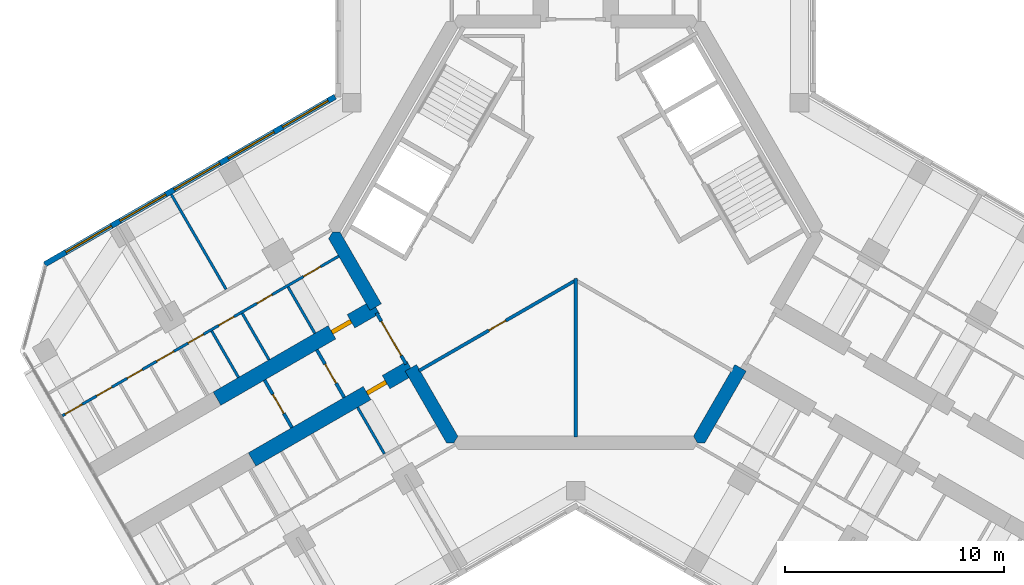
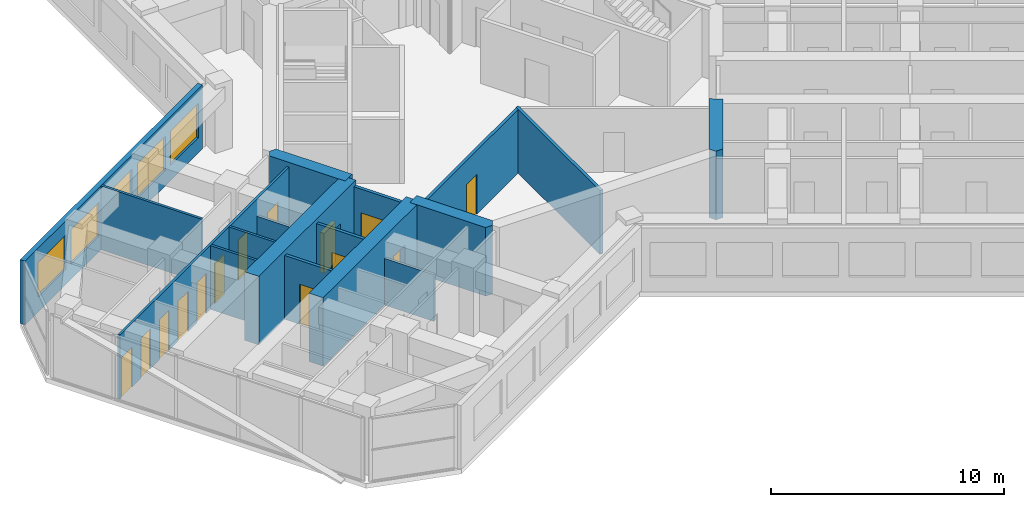
# One storey, part 9 of 16: 17 walls, 14 doors, 5 windows, 19 openings.
"""IFC4 building model written with IfcOpenShell, lengths in metres."""

from ifc_helpers import new_model, si_unit, direction, frame, frame_2d, origin, place, context, subcontext, project, spatial, polyline, rectangle, outline, extrude, material, layer, layer_set, type_object, element, fill, save


model = new_model("IFC4")

# Units and contexts
model_context = context("Model", 3, precision=1e-05, world=origin(), true_north=direction((0.0, 1.0)))
body_context = subcontext(model_context, "Body", "Model", "MODEL_VIEW")
ifc_project = project(units=[si_unit("LENGTHUNIT", "METRE"), si_unit("AREAUNIT", "SQUARE_METRE"), si_unit("VOLUMEUNIT", "CUBIC_METRE"), si_unit("PLANEANGLEUNIT", "RADIAN"), si_unit("MASSUNIT", "GRAM", prefix="KILO")], contexts=[model_context])

# Site, building, storey
site_placement = place(None, origin())
site = spatial("IfcSite", under=ifc_project, at=site_placement, CompositionType="ELEMENT")
building_placement = place(site_placement, origin())
building = spatial("IfcBuilding", under=site, at=building_placement, Name="Kosmar Iwan School Tower", CompositionType="ELEMENT")
storey_placement = place(building_placement, frame((0.0, 0.0, 242.39990234375)))
storey = spatial("IfcBuildingStorey", under=building, at=storey_placement, Name="L61", CompositionType="ELEMENT", Elevation=242.39990234375)

# Wall
ifc_material_1 = material(Name="Gypsum board on steel studs, fire-rated", Category="steel")
ifc_layer_1 = layer(ifc_material_1, 0.14990234375)
ifc_layer_set_1 = layer_set([ifc_layer_1], Name="Core room partition 150")
wall_type_1 = type_object("IfcWallType", Name="Core room partition 150", PredefinedType="PARTITIONING", material=ifc_layer_set_1)
wall_1_placement = place(storey_placement, frame((0.0, -9.344970703125, 0.0), z_axis=(0.0, 0.0, 1.0), x_axis=(0.0, 1.0, 0.0)))
element("IfcWall", 1, at=wall_1_placement, inside=storey, type_object=wall_type_1, Name="Core room partition L61-CW5", PredefinedType="PARTITIONING", context=body_context, shape_type="SweptSolid", body=[
    extrude(rectangle(XDim=7.22607421875, YDim=0.14990234375, at=frame_2d((3.613037109375, 0.0))), origin(), (0.0, 0.0, 1.0), 3.35009765625),
])

# Wall, opening, door
wall_2_placement = place(storey_placement, frame((-7.14306640625, -6.31787109375, 0.0), z_axis=(0.0, 0.0, 1.0), x_axis=(0.866034159509, 0.499984834333, 0.0)))
wall_2 = element("IfcWall", 2, at=wall_2_placement, inside=storey, type_object=wall_type_1, Name="Core room partition L61-CW7", PredefinedType="PARTITIONING", context=body_context, shape_type="SweptSolid", body=[
    extrude(rectangle(XDim=8.322998046875, YDim=0.14990234375, at=frame_2d((4.16162109375, 0.0))), origin(), (0.0, 0.0, 1.0), 3.35009765625),
])
opening_1_placement = place(wall_2_placement, frame((3.677001953125, 0.0, 0.0)))
opening_1 = element("IfcOpeningElement", 3, at=opening_1_placement, cuts=wall_2, Name="Opening D14", PredefinedType="OPENING", context=body_context, shape_type="SweptSolid", body=[
    extrude(rectangle(XDim=0.89990234375, YDim=2.10009765625, at=frame_2d((0.449951171875, 1.050048828125))), frame((0.0, 0.0869140625, 0.0), z_axis=(0.0, -1.0, 0.0), x_axis=(1.0, 0.0, 0.0)), (0.0, 0.0, 1.0), 0.173828125),
])
ifc_material_2 = material(Name="Timber fire door in steel frame", Category="steel")
door_type_1 = type_object("IfcDoorType", Name="Core room door 900x2100", OperationType="SINGLE_SWING_LEFT", PredefinedType="DOOR", material=ifc_material_2)
door_1_placement = place(opening_1_placement, origin())
door_1 = element("IfcDoor", 4, at=door_1_placement, inside=storey, type_object=door_type_1, Name="Residents' laundry room door L61 4", OperationType="SINGLE_SWING_LEFT", OverallHeight=2.10009765625, OverallWidth=0.89990234375, PredefinedType="DOOR", context=body_context, shape_type="SweptSolid", body=[
    extrude(rectangle(XDim=0.89990234375, YDim=2.10009765625, at=frame_2d((0.449951171875, 1.050048828125))), frame((0.0, 0.02490234375, 0.0), z_axis=(0.0, -1.0, 0.0), x_axis=(1.0, 0.0, 0.0)), (0.0, 0.0, 1.0), 0.050048828125),
])
fill(opening_1, door_1)

# Walls
ifc_material_3 = material(Name="Concrete C50/60", Category="concrete")
ifc_layer_2 = layer(ifc_material_3, 0.60009765625)
ifc_layer_set_2 = layer_set([ifc_layer_2], Name="Core wall 600")
wall_type_2 = type_object("IfcWallType", Name="Core wall 600", PredefinedType="SHEAR", material=ifc_layer_set_2)
wall_3_placement = place(storey_placement, origin())
element("IfcWall", 5, at=wall_3_placement, inside=storey, type_object=wall_type_2, Name="Core wall F210a", PredefinedType="SHEAR", context=body_context, shape_type="SweptSolid", body=[
    extrude(outline(polyline([(-9.37353515625, -3.564453125), (-8.85400390625, -3.264404296875), (-10.73876953125, 0.0), (-11.085205078125, 0.0), (-11.25830078125, -0.300048828125), (-9.37353515625, -3.564453125)])), origin(), (0.0, 0.0, 1.0), 3.60009765625),
])
wall_4_placement = place(storey_placement, origin())
element("IfcWall", 6, at=wall_4_placement, inside=storey, type_object=wall_type_2, Name="Core wall F210b", PredefinedType="SHEAR", context=body_context, shape_type="SweptSolid", body=[
    extrude(outline(polyline([(-5.888916015625, -9.60009765625), (-5.54248046875, -9.60009765625), (-5.369384765625, -9.300048828125), (-7.254150390625, -6.03564453125), (-7.773681640625, -6.335693359375), (-5.888916015625, -9.60009765625)])), origin(), (0.0, 0.0, 1.0), 3.60009765625),
])
wall_5_placement = place(storey_placement, origin())
element("IfcWall", 7, at=wall_5_placement, inside=storey, type_object=wall_type_2, Name="Core wall F330a", PredefinedType="SHEAR", context=body_context, shape_type="SweptSolid", body=[
    extrude(outline(polyline([(5.54248046875, -9.60009765625), (5.888916015625, -9.60009765625), (7.773681640625, -6.335693359375), (7.254150390625, -6.03564453125), (5.369384765625, -9.300048828125), (5.54248046875, -9.60009765625)])), origin(), (0.0, 0.0, 1.0), 3.60009765625),
])

# Wall, opening, door
ifc_material_4 = material(Name="Concrete C50/60", Category="concrete")
ifc_layer_3 = layer(ifc_material_4, 0.699951171875)
ifc_layer_set_3 = layer_set([ifc_layer_3], Name="Corridor buttress wall 700")
wall_type_3 = type_object("IfcWallType", Name="Corridor buttress wall 700", PredefinedType="SHEAR", material=ifc_layer_set_3)
wall_6_placement = place(storey_placement, frame((-7.513916015625, -6.185546875, 0.0), z_axis=(0.0, 0.0, 1.0), x_axis=(-0.866019549707, -0.500010139422, 0.0)))
wall_6 = element("IfcWall", 8, at=wall_6_placement, inside=storey, type_object=wall_type_3, Name="Corridor wall BL", PredefinedType="SHEAR", context=body_context, shape_type="SweptSolid", body=[
    extrude(rectangle(XDim=8.349853515625, YDim=0.699951171875, at=frame_2d((4.1748046875, 0.0))), origin(), (0.0, 0.0, 1.0), 3.60009765625),
])
opening_2_placement = place(wall_6_placement, frame((1.300048828125, 0.0, 0.0)))
opening_2 = element("IfcOpeningElement", 9, at=opening_2_placement, cuts=wall_6, Name="Opening D1", PredefinedType="OPENING", context=body_context, shape_type="SweptSolid", body=[
    extrude(rectangle(XDim=1.0, YDim=2.10009765625, at=frame_2d((0.5, 1.050048828125))), frame((0.0, 0.362060546875, 0.0), z_axis=(0.0, -1.0, 0.0), x_axis=(1.0, 0.0, 0.0)), (0.0, 0.0, 1.0), 0.723876953125),
])
ifc_material_5 = material(Name="Timber fire door in steel frame", Category="steel")
door_type_2 = type_object("IfcDoorType", Name="Flat entrance door 1000x2100", OperationType="SINGLE_SWING_LEFT", PredefinedType="DOOR", material=ifc_material_5)
door_2_placement = place(opening_2_placement, origin())
door_2 = element("IfcDoor", 10, at=door_2_placement, inside=storey, type_object=door_type_2, Name="Flat L61-BL1 entrance door", OperationType="SINGLE_SWING_RIGHT", OverallHeight=2.10009765625, OverallWidth=1.0, PredefinedType="DOOR", context=body_context, shape_type="SweptSolid", body=[
    extrude(rectangle(XDim=1.0, YDim=2.10009765625, at=frame_2d((0.5, 1.050048828125))), frame((0.0, 0.10009765625, 0.0), z_axis=(0.0, -1.0, 0.0), x_axis=(1.0, 0.0, 0.0)), (0.0, 0.0, 1.0), 0.199951171875),
])
fill(opening_2, door_2)

wall_7_placement = place(storey_placement, frame((-9.11376953125, -3.414306640625, 0.0), z_axis=(0.0, 0.0, 1.0), x_axis=(-0.866026859388, -0.499997478812, 0.0)))
wall_7 = element("IfcWall", 11, at=wall_7_placement, inside=storey, type_object=wall_type_3, Name="Corridor wall BR", PredefinedType="SHEAR", context=body_context, shape_type="SweptSolid", body=[
    extrude(rectangle(XDim=8.35009765625, YDim=0.699951171875, at=frame_2d((4.175048828125, 0.0))), origin(), (0.0, 0.0, 1.0), 3.60009765625),
])
opening_3_placement = place(wall_7_placement, frame((1.300048828125, 0.0, 0.0)))
opening_3 = element("IfcOpeningElement", 12, at=opening_3_placement, cuts=wall_7, Name="Opening D1", PredefinedType="OPENING", context=body_context, shape_type="SweptSolid", body=[
    extrude(rectangle(XDim=1.0, YDim=2.10009765625, at=frame_2d((0.5, 1.050048828125))), frame((0.0, 0.362060546875, 0.0), z_axis=(0.0, -1.0, 0.0), x_axis=(1.0, 0.0, 0.0)), (0.0, 0.0, 1.0), 0.723876953125),
])
door_3_placement = place(opening_3_placement, origin())
door_3 = element("IfcDoor", 13, at=door_3_placement, inside=storey, type_object=door_type_2, Name="Flat L61-BR1 entrance door", OperationType="SINGLE_SWING_RIGHT", OverallHeight=2.10009765625, OverallWidth=1.0, PredefinedType="DOOR", context=body_context, shape_type="SweptSolid", body=[
    extrude(rectangle(XDim=1.0, YDim=2.10009765625, at=frame_2d((0.5, 1.050048828125))), frame((0.0, 0.10009765625, 0.0), z_axis=(0.0, -1.0, 0.0), x_axis=(1.0, 0.0, 0.0)), (0.0, 0.0, 1.0), 0.199951171875),
])
fill(opening_3, door_3)

ifc_material_6 = material(Name="Gypsum board on steel studs, fire-rated", Category="steel")
ifc_layer_4 = layer(ifc_material_6, 0.14990234375)
ifc_layer_set_4 = layer_set([ifc_layer_4], Name="Corridor end wall 150")
wall_type_4 = type_object("IfcWallType", Name="Corridor end wall 150", PredefinedType="PARTITIONING", material=ifc_layer_set_4)
wall_8_placement = place(storey_placement, frame((-14.17822265625, -6.742431640625, 0.0), z_axis=(0.0, 0.0, 1.0), x_axis=(0.500004234368, -0.866022959057, 0.0)))
wall_8 = element("IfcWall", 14, at=wall_8_placement, inside=storey, type_object=wall_type_4, Name="Partition L61-B-CE", PredefinedType="PARTITIONING", context=body_context, shape_type="SweptSolid", body=[
    extrude(rectangle(XDim=2.5, YDim=0.14990234375, at=frame_2d((1.25, 0.0))), origin(), (0.0, 0.0, 1.0), 3.35009765625),
])
opening_4_placement = place(wall_8_placement, frame((0.75, 0.0, 0.0)))
opening_4 = element("IfcOpeningElement", 15, at=opening_4_placement, cuts=wall_8, Name="Opening D13", PredefinedType="OPENING", context=body_context, shape_type="SweptSolid", body=[
    extrude(rectangle(XDim=1.0, YDim=2.10009765625, at=frame_2d((0.5, 1.050048828125))), frame((0.0, 0.0869140625, 0.0), z_axis=(0.0, -1.0, 0.0), x_axis=(1.0, 0.0, 0.0)), (0.0, 0.0, 1.0), 0.173828125),
])
ifc_material_7 = material(Name="Timber fire door with vision panel", Category="wood")
door_type_3 = type_object("IfcDoorType", Name="Corridor end door 1000x2100", OperationType="SINGLE_SWING_LEFT", PredefinedType="DOOR", material=ifc_material_7)
door_4_placement = place(opening_4_placement, origin())
door_4 = element("IfcDoor", 16, at=door_4_placement, inside=storey, type_object=door_type_3, Name="Hobby workshop door L61-B", OperationType="SINGLE_SWING_RIGHT", OverallHeight=2.10009765625, OverallWidth=1.0, PredefinedType="DOOR", context=body_context, shape_type="SweptSolid", body=[
    extrude(rectangle(XDim=1.0, YDim=2.10009765625, at=frame_2d((0.5, 1.050048828125))), frame((0.0, 0.02490234375, 0.0), z_axis=(0.0, -1.0, 0.0), x_axis=(1.0, 0.0, 0.0)), (0.0, 0.0, 1.0), 0.050048828125),
])
fill(opening_4, door_4)

wall_9_placement = place(storey_placement, frame((-11.796630859375, -5.367431640625, 0.0), z_axis=(0.0, 0.0, 1.0), x_axis=(0.500004234368, -0.866022959057, 0.0)))
wall_9 = element("IfcWall", 17, at=wall_9_placement, inside=storey, type_object=wall_type_4, Name="Partition L61-B-HW", PredefinedType="PARTITIONING", context=body_context, shape_type="SweptSolid", body=[
    extrude(rectangle(XDim=2.5, YDim=0.14990234375, at=frame_2d((1.25, 0.0))), origin(), (0.0, 0.0, 1.0), 3.35009765625),
])
opening_5_placement = place(wall_9_placement, frame((0.75, 0.0, 0.0)))
opening_5 = element("IfcOpeningElement", 18, at=opening_5_placement, cuts=wall_9, Name="Opening D13", PredefinedType="OPENING", context=body_context, shape_type="SweptSolid", body=[
    extrude(rectangle(XDim=1.0, YDim=2.10009765625, at=frame_2d((0.5, 1.050048828125))), frame((0.0, 0.0869140625, 0.0), z_axis=(0.0, -1.0, 0.0), x_axis=(1.0, 0.0, 0.0)), (0.0, 0.0, 1.0), 0.173828125),
])
door_5_placement = place(opening_5_placement, origin())
door_5 = element("IfcDoor", 19, at=door_5_placement, inside=storey, type_object=door_type_3, Name="Entrance door L61-B", OperationType="SINGLE_SWING_LEFT", OverallHeight=2.10009765625, OverallWidth=1.0, PredefinedType="DOOR", context=body_context, shape_type="SweptSolid", body=[
    extrude(rectangle(XDim=1.0, YDim=2.10009765625, at=frame_2d((0.5, 1.050048828125))), frame((0.0, 0.02490234375, 0.0), z_axis=(0.0, -1.0, 0.0), x_axis=(1.0, 0.0, 0.0)), (0.0, 0.0, 1.0), 0.050048828125),
])
fill(opening_5, door_5)

ifc_material_8 = material(Name="Steel framed glazed screen", Category="steel")
ifc_layer_5 = layer(ifc_material_8, 0.14990234375)
ifc_layer_set_5 = layer_set([ifc_layer_5], Name="Corridor screen wall 150")
wall_type_5 = type_object("IfcWallType", Name="Corridor screen wall 150", PredefinedType="PARTITIONING", material=ifc_layer_set_5)
wall_10_placement = place(storey_placement, frame((-9.075439453125, -3.680908203125, 0.0), z_axis=(0.0, 0.0, 1.0), x_axis=(0.500048589285, -0.86599734893, 0.0)))
wall_10 = element("IfcWall", 20, at=wall_10_placement, inside=storey, type_object=wall_type_5, Name="Corridor screen B L61", PredefinedType="PARTITIONING", context=body_context, shape_type="SweptSolid", body=[
    extrude(rectangle(XDim=2.699951171875, YDim=0.14990234375, at=frame_2d((1.35009765625, 0.0))), origin(), (0.0, 0.0, 1.0), 3.35009765625),
])
opening_6_placement = place(wall_10_placement, frame((0.449951171875, 0.0, 0.0)))
opening_6 = element("IfcOpeningElement", 21, at=opening_6_placement, cuts=wall_10, Name="Opening D9", PredefinedType="OPENING", context=body_context, shape_type="SweptSolid", body=[
    extrude(rectangle(XDim=1.800048828125, YDim=2.10009765625, at=frame_2d((0.89990234375, 1.050048828125))), frame((0.0, 0.0869140625, 0.0), z_axis=(0.0, -1.0, 0.0), x_axis=(1.0, 0.0, 0.0)), (0.0, 0.0, 1.0), 0.173828125),
])
ifc_material_9 = material(Name="Steel framed glazed smoke door", Category="steel")
door_type_4 = type_object("IfcDoorType", Name="Corridor smoke door pair 1800x2100", OperationType="DOUBLE_DOOR_DOUBLE_SWING", PredefinedType="DOOR", material=ifc_material_9)
door_6_placement = place(opening_6_placement, origin())
door_6 = element("IfcDoor", 22, at=door_6_placement, inside=storey, type_object=door_type_4, Name="Corridor doors B L61", OperationType="DOUBLE_DOOR_DOUBLE_SWING", OverallHeight=2.10009765625, OverallWidth=1.800048828125, PredefinedType="DOOR", context=body_context, shape_type="SweptSolid", body=[
    extrude(rectangle(XDim=1.800048828125, YDim=2.10009765625, at=frame_2d((0.89990234375, 1.050048828125))), frame((0.0, 0.02490234375, 0.0), z_axis=(0.0, -1.0, 0.0), x_axis=(1.0, 0.0, 0.0)), (0.0, 0.0, 1.0), 0.050048828125),
])
fill(opening_6, door_6)

# Wall
ifc_material_10 = material(Name="Gypsum board on steel studs", Category="steel")
ifc_layer_6 = layer(ifc_material_10, 0.1201171875)
ifc_layer_set_6 = layer_set([ifc_layer_6], Name="Dwelling partition 120")
wall_type_6 = type_object("IfcWallType", Name="Dwelling partition 120", PredefinedType="PARTITIONING", material=ifc_layer_set_6)
wall_11_placement = place(storey_placement, frame((-9.93701171875, -7.98876953125, 0.0), z_axis=(0.0, 0.0, 1.0), x_axis=(0.500077547548, -0.865980627057, 0.0)))
element("IfcWall", 23, at=wall_11_placement, inside=storey, type_object=wall_type_6, Name="Partition L61-BL1-Y1", PredefinedType="PARTITIONING", context=body_context, shape_type="SweptSolid", body=[
    extrude(rectangle(XDim=2.43994140625, YDim=0.1201171875, at=frame_2d((1.219970703125, 0.0))), origin(), (0.0, 0.0, 1.0), 2.4501953125),
])

# Wall, openings, doors
wall_12_placement = place(storey_placement, frame((-10.798583984375, -1.09619140625, 0.0), z_axis=(0.0, 0.0, 1.0), x_axis=(-0.866028217562, -0.499995126363, 0.0)))
wall_12 = element("IfcWall", 24, at=wall_12_placement, inside=storey, type_object=wall_type_6, Name="Partition L61-BR1-W1", PredefinedType="PARTITIONING", context=body_context, shape_type="SweptSolid", body=[
    extrude(rectangle(XDim=14.545166015625, YDim=0.1201171875, at=frame_2d((7.2724609375, 0.0))), origin(), (0.0, 0.0, 1.0), 3.35009765625),
])
opening_7_placement = place(wall_12_placement, frame((0.949951171875, 0.0, 0.0)))
opening_7 = element("IfcOpeningElement", 25, at=opening_7_placement, cuts=wall_12, Name="Opening D2", PredefinedType="OPENING", context=body_context, shape_type="SweptSolid", body=[
    extrude(rectangle(XDim=0.89990234375, YDim=2.10009765625, at=frame_2d((0.449951171875, 1.050048828125))), frame((0.0, 0.072021484375, 0.0), z_axis=(0.0, -1.0, 0.0), x_axis=(1.0, 0.0, 0.0)), (0.0, 0.0, 1.0), 0.14404296875),
])
opening_8_placement = place(wall_12_placement, frame((3.505126953125, 0.0, 0.0)))
opening_8 = element("IfcOpeningElement", 26, at=opening_8_placement, cuts=wall_12, Name="Opening D3", PredefinedType="OPENING", context=body_context, shape_type="SweptSolid", body=[
    extrude(rectangle(XDim=0.800048828125, YDim=2.10009765625, at=frame_2d((0.39990234375, 1.050048828125))), frame((0.0, 0.072021484375, 0.0), z_axis=(0.0, -1.0, 0.0), x_axis=(1.0, 0.0, 0.0)), (0.0, 0.0, 1.0), 0.14404296875),
])
opening_9_placement = place(wall_12_placement, frame((5.513427734375, 0.0, 0.0)))
opening_9 = element("IfcOpeningElement", 27, at=opening_9_placement, cuts=wall_12, Name="Opening D3", PredefinedType="OPENING", context=body_context, shape_type="SweptSolid", body=[
    extrude(rectangle(XDim=0.800048828125, YDim=2.10009765625, at=frame_2d((0.39990234375, 1.050048828125))), frame((0.0, 0.072021484375, 0.0), z_axis=(0.0, -1.0, 0.0), x_axis=(1.0, 0.0, 0.0)), (0.0, 0.0, 1.0), 0.14404296875),
])
opening_10_placement = place(wall_12_placement, frame((7.1201171875, 0.0, 0.0)))
opening_10 = element("IfcOpeningElement", 28, at=opening_10_placement, cuts=wall_12, Name="Opening D3", PredefinedType="OPENING", context=body_context, shape_type="SweptSolid", body=[
    extrude(rectangle(XDim=0.800048828125, YDim=2.10009765625, at=frame_2d((0.39990234375, 1.050048828125))), frame((0.0, 0.072021484375, 0.0), z_axis=(0.0, -1.0, 0.0), x_axis=(1.0, 0.0, 0.0)), (0.0, 0.0, 1.0), 0.14404296875),
])
opening_11_placement = place(wall_12_placement, frame((8.6767578125, 0.0, 0.0)))
opening_11 = element("IfcOpeningElement", 29, at=opening_11_placement, cuts=wall_12, Name="Opening D2", PredefinedType="OPENING", context=body_context, shape_type="SweptSolid", body=[
    extrude(rectangle(XDim=0.89990234375, YDim=2.10009765625, at=frame_2d((0.449951171875, 1.050048828125))), frame((0.0, 0.072021484375, 0.0), z_axis=(0.0, -1.0, 0.0), x_axis=(1.0, 0.0, 0.0)), (0.0, 0.0, 1.0), 0.14404296875),
])
opening_12_placement = place(wall_12_placement, frame((10.333251953125, 0.0, 0.0)))
opening_12 = element("IfcOpeningElement", 30, at=opening_12_placement, cuts=wall_12, Name="Opening D3", PredefinedType="OPENING", context=body_context, shape_type="SweptSolid", body=[
    extrude(rectangle(XDim=0.800048828125, YDim=2.10009765625, at=frame_2d((0.39990234375, 1.050048828125))), frame((0.0, 0.072021484375, 0.0), z_axis=(0.0, -1.0, 0.0), x_axis=(1.0, 0.0, 0.0)), (0.0, 0.0, 1.0), 0.14404296875),
])
opening_13_placement = place(wall_12_placement, frame((11.93994140625, 0.0, 0.0)))
opening_13 = element("IfcOpeningElement", 31, at=opening_13_placement, cuts=wall_12, Name="Opening D3", PredefinedType="OPENING", context=body_context, shape_type="SweptSolid", body=[
    extrude(rectangle(XDim=0.800048828125, YDim=2.10009765625, at=frame_2d((0.39990234375, 1.050048828125))), frame((0.0, 0.072021484375, 0.0), z_axis=(0.0, -1.0, 0.0), x_axis=(1.0, 0.0, 0.0)), (0.0, 0.0, 1.0), 0.14404296875),
])
opening_14_placement = place(wall_12_placement, frame((13.49658203125, 0.0, 0.0)))
opening_14 = element("IfcOpeningElement", 32, at=opening_14_placement, cuts=wall_12, Name="Opening D2", PredefinedType="OPENING", context=body_context, shape_type="SweptSolid", body=[
    extrude(rectangle(XDim=0.89990234375, YDim=2.10009765625, at=frame_2d((0.449951171875, 1.050048828125))), frame((0.0, 0.072021484375, 0.0), z_axis=(0.0, -1.0, 0.0), x_axis=(1.0, 0.0, 0.0)), (0.0, 0.0, 1.0), 0.14404296875),
])
ifc_material_11 = material(Name="Timber door in timber frame", Category="wood")
door_type_5 = type_object("IfcDoorType", Name="Internal door 900x2100", OperationType="SINGLE_SWING_LEFT", PredefinedType="DOOR", material=ifc_material_11)
door_7_placement = place(opening_7_placement, origin())
door_7 = element("IfcDoor", 33, at=door_7_placement, inside=storey, type_object=door_type_5, Name="Entrance hall door L61-BR1-S1", OperationType="SINGLE_SWING_LEFT", OverallHeight=2.10009765625, OverallWidth=0.89990234375, PredefinedType="DOOR", context=body_context, shape_type="SweptSolid", body=[
    extrude(rectangle(XDim=0.89990234375, YDim=2.10009765625, at=frame_2d((0.449951171875, 1.050048828125))), frame((0.0, 0.02490234375, 0.0), z_axis=(0.0, -1.0, 0.0), x_axis=(1.0, 0.0, 0.0)), (0.0, 0.0, 1.0), 0.050048828125),
])
fill(opening_7, door_7)
door_8_placement = place(opening_11_placement, origin())
door_8 = element("IfcDoor", 34, at=door_8_placement, inside=storey, type_object=door_type_5, Name="Pantry door L61-BR1-S5", OperationType="SINGLE_SWING_LEFT", OverallHeight=2.10009765625, OverallWidth=0.89990234375, PredefinedType="DOOR", context=body_context, shape_type="SweptSolid", body=[
    extrude(rectangle(XDim=0.89990234375, YDim=2.10009765625, at=frame_2d((0.449951171875, 1.050048828125))), frame((0.0, 0.02490234375, 0.0), z_axis=(0.0, -1.0, 0.0), x_axis=(1.0, 0.0, 0.0)), (0.0, 0.0, 1.0), 0.050048828125),
])
fill(opening_11, door_8)
door_9_placement = place(opening_14_placement, origin())
door_9 = element("IfcDoor", 35, at=door_9_placement, inside=storey, type_object=door_type_5, Name="Utility room door L61-BR1-S8", OperationType="SINGLE_SWING_RIGHT", OverallHeight=2.10009765625, OverallWidth=0.89990234375, PredefinedType="DOOR", context=body_context, shape_type="SweptSolid", body=[
    extrude(rectangle(XDim=0.89990234375, YDim=2.10009765625, at=frame_2d((0.449951171875, 1.050048828125))), frame((0.0, 0.02490234375, 0.0), z_axis=(0.0, -1.0, 0.0), x_axis=(1.0, 0.0, 0.0)), (0.0, 0.0, 1.0), 0.050048828125),
])
fill(opening_14, door_9)
ifc_material_12 = material(Name="Timber door in timber frame", Category="wood")
door_type_6 = type_object("IfcDoorType", Name="Sanitary room door 800x2100", OperationType="SINGLE_SWING_LEFT", PredefinedType="DOOR", material=ifc_material_12)
door_10_placement = place(opening_8_placement, origin())
door_10 = element("IfcDoor", 36, at=door_10_placement, inside=storey, type_object=door_type_6, Name="Bathroom door L61-BR1-S2", OperationType="SINGLE_SWING_RIGHT", OverallHeight=2.10009765625, OverallWidth=0.800048828125, PredefinedType="DOOR", context=body_context, shape_type="SweptSolid", body=[
    extrude(rectangle(XDim=0.800048828125, YDim=2.10009765625, at=frame_2d((0.39990234375, 1.050048828125))), frame((0.0, 0.02490234375, 0.0), z_axis=(0.0, -1.0, 0.0), x_axis=(1.0, 0.0, 0.0)), (0.0, 0.0, 1.0), 0.050048828125),
])
fill(opening_8, door_10)
door_11_placement = place(opening_9_placement, origin())
door_11 = element("IfcDoor", 37, at=door_11_placement, inside=storey, type_object=door_type_6, Name="Grandparents' shower room door L61-BR1-S3", OperationType="SINGLE_SWING_LEFT", OverallHeight=2.10009765625, OverallWidth=0.800048828125, PredefinedType="DOOR", context=body_context, shape_type="SweptSolid", body=[
    extrude(rectangle(XDim=0.800048828125, YDim=2.10009765625, at=frame_2d((0.39990234375, 1.050048828125))), frame((0.0, 0.02490234375, 0.0), z_axis=(0.0, -1.0, 0.0), x_axis=(1.0, 0.0, 0.0)), (0.0, 0.0, 1.0), 0.050048828125),
])
fill(opening_9, door_11)
door_12_placement = place(opening_10_placement, origin())
door_12 = element("IfcDoor", 38, at=door_12_placement, inside=storey, type_object=door_type_6, Name="Shower room door L61-BR1-S4", OperationType="SINGLE_SWING_RIGHT", OverallHeight=2.10009765625, OverallWidth=0.800048828125, PredefinedType="DOOR", context=body_context, shape_type="SweptSolid", body=[
    extrude(rectangle(XDim=0.800048828125, YDim=2.10009765625, at=frame_2d((0.39990234375, 1.050048828125))), frame((0.0, 0.02490234375, 0.0), z_axis=(0.0, -1.0, 0.0), x_axis=(1.0, 0.0, 0.0)), (0.0, 0.0, 1.0), 0.050048828125),
])
fill(opening_10, door_12)
door_13_placement = place(opening_12_placement, origin())
door_13 = element("IfcDoor", 39, at=door_13_placement, inside=storey, type_object=door_type_6, Name="WC door L61-BR1-S6", OperationType="SINGLE_SWING_RIGHT", OverallHeight=2.10009765625, OverallWidth=0.800048828125, PredefinedType="DOOR", context=body_context, shape_type="SweptSolid", body=[
    extrude(rectangle(XDim=0.800048828125, YDim=2.10009765625, at=frame_2d((0.39990234375, 1.050048828125))), frame((0.0, 0.02490234375, 0.0), z_axis=(0.0, -1.0, 0.0), x_axis=(1.0, 0.0, 0.0)), (0.0, 0.0, 1.0), 0.050048828125),
])
fill(opening_12, door_13)
door_14_placement = place(opening_13_placement, origin())
door_14 = element("IfcDoor", 40, at=door_14_placement, inside=storey, type_object=door_type_6, Name="Store door L61-BR1-S7", OperationType="SINGLE_SWING_LEFT", OverallHeight=2.10009765625, OverallWidth=0.800048828125, PredefinedType="DOOR", context=body_context, shape_type="SweptSolid", body=[
    extrude(rectangle(XDim=0.800048828125, YDim=2.10009765625, at=frame_2d((0.39990234375, 1.050048828125))), frame((0.0, 0.02490234375, 0.0), z_axis=(0.0, -1.0, 0.0), x_axis=(1.0, 0.0, 0.0)), (0.0, 0.0, 1.0), 0.050048828125),
])
fill(opening_13, door_14)

# Walls
wall_13_placement = place(storey_placement, frame((-15.931884765625, -2.60498046875, 0.0), z_axis=(0.0, 0.0, 1.0), x_axis=(-0.500011847778, 0.866018563358, 0.0)))
element("IfcWall", 41, at=wall_13_placement, inside=storey, type_object=wall_type_6, Name="Partition L61-BR1-X1", PredefinedType="PARTITIONING", context=body_context, shape_type="SweptSolid", body=[
    extrude(rectangle(XDim=4.990234375, YDim=0.1201171875, at=frame_2d((2.4951171875, 0.0))), origin(), (0.0, 0.0, 1.0), 3.35009765625),
])
wall_14_placement = place(storey_placement, frame((-11.886962890625, -4.611328125, 0.0), z_axis=(0.0, 0.0, 1.0), x_axis=(-0.499959183527, 0.866048967903, 0.0)))
element("IfcWall", 42, at=wall_14_placement, inside=storey, type_object=wall_type_6, Name="Partition L61-BR1-Y1", PredefinedType="PARTITIONING", context=body_context, shape_type="SweptSolid", body=[
    extrude(rectangle(XDim=2.440185546875, YDim=0.1201171875, at=frame_2d((1.22021484375, 0.0))), origin(), (0.0, 0.0, 1.0), 2.4501953125),
])
for number, where, z_axis, x_axis, name in (
    (43, (-13.97412109375, -5.816162109375, 0.0), (0.0, 0.0, 1.0), (-0.500002508028, 0.866023955769, 0.0), "Partition L61-BR1-Y2"),
    (44, (-15.365478515625, -6.61962890625, 0.0), (0.0, 0.0, 1.0), (-0.500002508028, 0.866023955769, 0.0), "Partition L61-BR1-Y3"),
):
    element("IfcWall", number, at=place(storey_placement, frame(where, z_axis=z_axis, x_axis=x_axis)), inside=storey, type_object=wall_type_6, Name=name, PredefinedType="PARTITIONING", context=body_context, shape_type="SweptSolid", body=[
        extrude(rectangle(XDim=2.43994140625, YDim=0.1201171875, at=frame_2d((1.219970703125, 0.0))), origin(), (0.0, 0.0, 1.0), 3.35009765625),
    ])

# Wall, openings, windows
ifc_material_13 = material(Name="Black aluminium rainscreen on insulated framing", Category="aluminium")
ifc_layer_7 = layer(ifc_material_13, 0.25)
ifc_layer_set_7 = layer_set([ifc_layer_7], Name="External wall rainscreen 250")
wall_type_7 = type_object("IfcWallType", Name="External wall rainscreen 250", PredefinedType="SOLIDWALL", material=ifc_layer_set_7)
wall_15_placement = place(storey_placement, frame((-10.962890625, 6.170166015625, 0.0), z_axis=(0.0, 0.0, 1.0), x_axis=(-0.866025637253, -0.499999595621, 0.0)))
wall_15 = element("IfcWall", 45, at=wall_15_placement, inside=storey, type_object=wall_type_7, Name="External wall BR L61", PredefinedType="SOLIDWALL", context=body_context, shape_type="SweptSolid", body=[
    extrude(rectangle(XDim=15.2763671875, YDim=0.25, at=frame_2d((7.63818359375, 0.0))), origin(), (0.0, 0.0, 1.0), 3.35009765625),
])
opening_15_placement = place(wall_15_placement, frame((0.365966796875, 0.0, 0.800048828125)))
opening_15 = element("IfcOpeningElement", 46, at=opening_15_placement, cuts=wall_15, Name="Opening W5", PredefinedType="OPENING", context=body_context, shape_type="SweptSolid", body=[
    extrude(rectangle(XDim=2.39990234375, YDim=1.800048828125, at=frame_2d((1.199951171875, 0.89990234375))), frame((0.0, 0.136962890625, 0.0), z_axis=(0.0, -1.0, 0.0), x_axis=(1.0, 0.0, 0.0)), (0.0, 0.0, 1.0), 0.27392578125),
])
opening_16_placement = place(wall_15_placement, frame((3.216064453125, 0.0, 0.800048828125)))
opening_16 = element("IfcOpeningElement", 47, at=opening_16_placement, cuts=wall_15, Name="Opening W5", PredefinedType="OPENING", context=body_context, shape_type="SweptSolid", body=[
    extrude(rectangle(XDim=2.39990234375, YDim=1.800048828125, at=frame_2d((1.199951171875, 0.89990234375))), frame((0.0, 0.136962890625, 0.0), z_axis=(0.0, -1.0, 0.0), x_axis=(1.0, 0.0, 0.0)), (0.0, 0.0, 1.0), 0.27392578125),
])
opening_17_placement = place(wall_15_placement, frame((6.06591796875, 0.0, 0.800048828125)))
opening_17 = element("IfcOpeningElement", 48, at=opening_17_placement, cuts=wall_15, Name="Opening W5", PredefinedType="OPENING", context=body_context, shape_type="SweptSolid", body=[
    extrude(rectangle(XDim=2.39990234375, YDim=1.800048828125, at=frame_2d((1.199951171875, 0.89990234375))), frame((0.0, 0.136962890625, 0.0), z_axis=(0.0, -1.0, 0.0), x_axis=(1.0, 0.0, 0.0)), (0.0, 0.0, 1.0), 0.27392578125),
])
opening_18_placement = place(wall_15_placement, frame((8.916015625, 0.0, 0.800048828125)))
opening_18 = element("IfcOpeningElement", 49, at=opening_18_placement, cuts=wall_15, Name="Opening W5", PredefinedType="OPENING", context=body_context, shape_type="SweptSolid", body=[
    extrude(rectangle(XDim=2.39990234375, YDim=1.800048828125, at=frame_2d((1.199951171875, 0.89990234375))), frame((0.0, 0.136962890625, 0.0), z_axis=(0.0, -1.0, 0.0), x_axis=(1.0, 0.0, 0.0)), (0.0, 0.0, 1.0), 0.27392578125),
])
opening_19_placement = place(wall_15_placement, frame((11.76611328125, 0.0, 0.800048828125)))
opening_19 = element("IfcOpeningElement", 50, at=opening_19_placement, cuts=wall_15, Name="Opening W5", PredefinedType="OPENING", context=body_context, shape_type="SweptSolid", body=[
    extrude(rectangle(XDim=2.39990234375, YDim=1.800048828125, at=frame_2d((1.199951171875, 0.89990234375))), frame((0.0, 0.136962890625, 0.0), z_axis=(0.0, -1.0, 0.0), x_axis=(1.0, 0.0, 0.0)), (0.0, 0.0, 1.0), 0.27392578125),
])
ifc_material_14 = material(Name="Black aluminium frame with dark triple glazing", Category="aluminium")
window_type = type_object("IfcWindowType", Name="Window 2400x1800", PartitioningType="SINGLE_PANEL", PredefinedType="WINDOW", material=ifc_material_14)
window_1_placement = place(opening_15_placement, origin())
window_1 = element("IfcWindow", 51, at=window_1_placement, inside=storey, type_object=window_type, Name="Window BR L61 -1", OverallHeight=1.800048828125, OverallWidth=2.39990234375, PartitioningType="SINGLE_PANEL", PredefinedType="WINDOW", context=body_context, shape_type="SweptSolid", body=[
    extrude(rectangle(XDim=2.39990234375, YDim=1.800048828125, at=frame_2d((1.199951171875, 0.89990234375))), frame((0.0, 0.030029296875, 0.0), z_axis=(0.0, -1.0, 0.0), x_axis=(1.0, 0.0, 0.0)), (0.0, 0.0, 1.0), 0.06005859375),
])
fill(opening_15, window_1)
window_2_placement = place(opening_16_placement, origin())
window_2 = element("IfcWindow", 52, at=window_2_placement, inside=storey, type_object=window_type, Name="Window BR L61 0", OverallHeight=1.800048828125, OverallWidth=2.39990234375, PartitioningType="SINGLE_PANEL", PredefinedType="WINDOW", context=body_context, shape_type="SweptSolid", body=[
    extrude(rectangle(XDim=2.39990234375, YDim=1.800048828125, at=frame_2d((1.199951171875, 0.89990234375))), frame((0.0, 0.030029296875, 0.0), z_axis=(0.0, -1.0, 0.0), x_axis=(1.0, 0.0, 0.0)), (0.0, 0.0, 1.0), 0.06005859375),
])
fill(opening_16, window_2)
window_3_placement = place(opening_17_placement, origin())
window_3 = element("IfcWindow", 53, at=window_3_placement, inside=storey, type_object=window_type, Name="Window BR L61 1", OverallHeight=1.800048828125, OverallWidth=2.39990234375, PartitioningType="SINGLE_PANEL", PredefinedType="WINDOW", context=body_context, shape_type="SweptSolid", body=[
    extrude(rectangle(XDim=2.39990234375, YDim=1.800048828125, at=frame_2d((1.199951171875, 0.89990234375))), frame((0.0, 0.030029296875, 0.0), z_axis=(0.0, -1.0, 0.0), x_axis=(1.0, 0.0, 0.0)), (0.0, 0.0, 1.0), 0.06005859375),
])
fill(opening_17, window_3)
window_4_placement = place(opening_18_placement, origin())
window_4 = element("IfcWindow", 54, at=window_4_placement, inside=storey, type_object=window_type, Name="Window BR L61 2", OverallHeight=1.800048828125, OverallWidth=2.39990234375, PartitioningType="SINGLE_PANEL", PredefinedType="WINDOW", context=body_context, shape_type="SweptSolid", body=[
    extrude(rectangle(XDim=2.39990234375, YDim=1.800048828125, at=frame_2d((1.199951171875, 0.89990234375))), frame((0.0, 0.030029296875, 0.0), z_axis=(0.0, -1.0, 0.0), x_axis=(1.0, 0.0, 0.0)), (0.0, 0.0, 1.0), 0.06005859375),
])
fill(opening_18, window_4)
window_5_placement = place(opening_19_placement, origin())
window_5 = element("IfcWindow", 55, at=window_5_placement, inside=storey, type_object=window_type, Name="Window BR L61 3", OverallHeight=1.800048828125, OverallWidth=2.39990234375, PartitioningType="SINGLE_PANEL", PredefinedType="WINDOW", context=body_context, shape_type="SweptSolid", body=[
    extrude(rectangle(XDim=2.39990234375, YDim=1.800048828125, at=frame_2d((1.199951171875, 0.89990234375))), frame((0.0, 0.030029296875, 0.0), z_axis=(0.0, -1.0, 0.0), x_axis=(1.0, 0.0, 0.0)), (0.0, 0.0, 1.0), 0.06005859375),
])
fill(opening_19, window_5)

save(model, "model.ifc")
